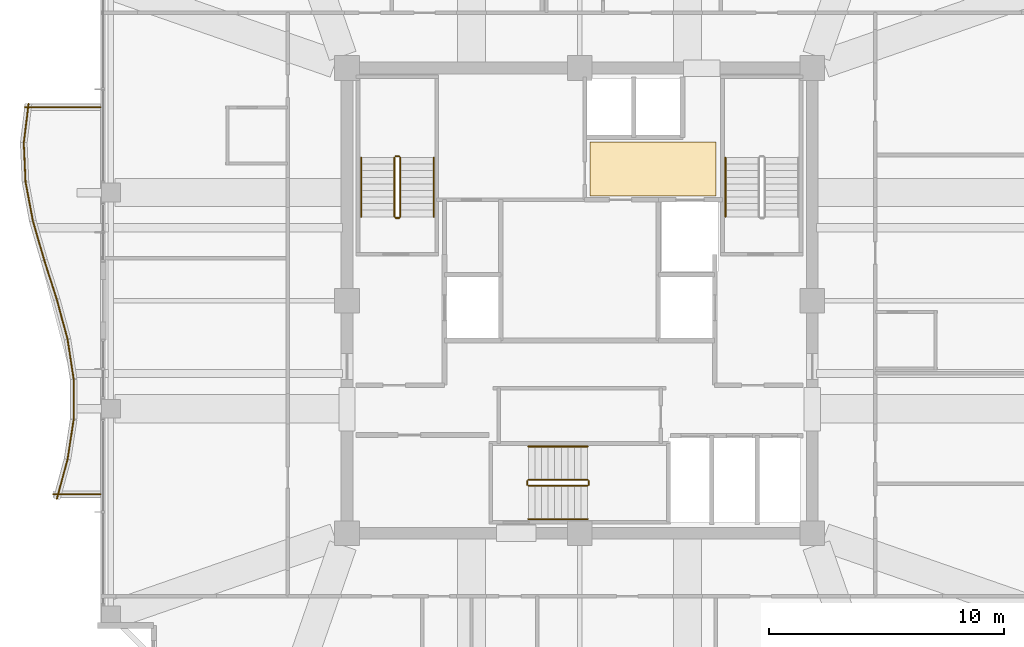
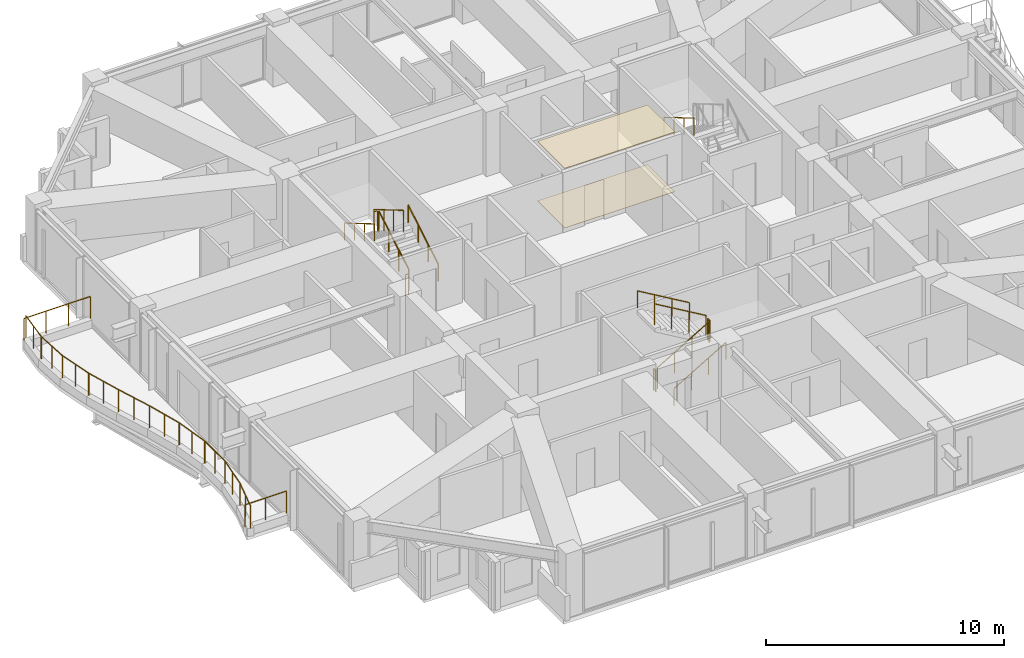
# One storey, part 34 of 35: 25 railings, 2 coverings.
"""IFC4 building model written with IfcOpenShell, lengths in metres."""

from ifc_helpers import new_model, si_unit, direction, frame, origin, origin_2d, place, context, subcontext, project, spatial, polyline, circle, outline, extrude, material, layer, layer_set, type_object, element, save


model = new_model("IFC4")

# Units and contexts
model_context = context("Model", 3, precision=1e-05, world=origin(), true_north=direction((0.0, 1.0)))
body_context = subcontext(model_context, "Body", "Model", "MODEL_VIEW")
ifc_project = project(units=[si_unit("LENGTHUNIT", "METRE"), si_unit("AREAUNIT", "SQUARE_METRE"), si_unit("VOLUMEUNIT", "CUBIC_METRE"), si_unit("PLANEANGLEUNIT", "RADIAN"), si_unit("MASSUNIT", "GRAM", prefix="KILO")], contexts=[model_context])

# Site, building, storey
site_placement = place(None, origin())
site = spatial("IfcSite", under=ifc_project, at=site_placement, CompositionType="ELEMENT")
building_placement = place(site_placement, origin())
building = spatial("IfcBuilding", under=site, at=building_placement, Name="Kolvaren Belvedere", CompositionType="ELEMENT")
storey_placement = place(building_placement, frame((0.0, 0.0, 203.10009765625)))
storey = spatial("IfcBuildingStorey", under=building, at=storey_placement, Name="L59", CompositionType="ELEMENT", Elevation=203.10009765625)

# Coverings
ifc_material_1 = material(Name="Acoustic perforated gypsum board", Category="gypsum")
ifc_layer_1 = layer(ifc_material_1, 0.02490234375)
ifc_layer_set_1 = layer_set([ifc_layer_1], Name="Acoustic perforated gypsum board")
covering_type_1 = type_object("IfcCoveringType", Name="COV-CEIL-GYP", PredefinedType="CEILING", material=ifc_layer_set_1)
covering_1_placement = place(storey_placement, frame((0.0, 0.0, 3.054931640625)))
element("IfcCovering", 1, at=covering_1_placement, inside=storey, type_object=covering_type_1, Name="L59 Lift Lobby Acoustic Baffle Ceiling", PredefinedType="CEILING", context=body_context, shape_type="SweptSolid", body=[
    extrude(outline(polyline([(0.449951171875, 4.449951171875), (5.800048828125, 4.449951171875), (5.800048828125, 6.75), (0.449951171875, 6.75), (0.449951171875, 4.449951171875)])), origin(), (0.0, 0.0, 1.0), 0.02490234375),
])
ifc_material_2 = material(Name="Engineered Pacific white oak", Category="timber")
ifc_layer_2 = layer(ifc_material_2, 0.02001953125)
ifc_layer_set_2 = layer_set([ifc_layer_2], Name="Engineered Pacific white oak")
covering_type_2 = type_object("IfcCoveringType", Name="COV-FLR-OAK", PredefinedType="FLOORING", material=ifc_layer_set_2)
covering_2_placement = place(storey_placement, origin())
element("IfcCovering", 2, at=covering_2_placement, inside=storey, type_object=covering_type_2, Name="L59 Lift Lobby Finish Flooring", PredefinedType="FLOORING", context=body_context, shape_type="SweptSolid", body=[
    extrude(outline(polyline([(0.449951171875, 4.449951171875), (5.800048828125, 4.449951171875), (5.800048828125, 6.75), (0.449951171875, 6.75), (0.449951171875, 4.449951171875)])), origin(), (0.0, 0.0, 1.0), 0.02001953125),
])

# Railings
ifc_material_3 = material(Name="Anodised pale-metal aluminium & laminated glass guard", Category="aluminium")
railing_type_1 = type_object("IfcRailingType", Name="RL-GUARD-1150", PredefinedType="GUARDRAIL", material=ifc_material_3)
railing_1_placement = place(storey_placement, frame((-23.454833984375, 8.380615234375, 0.3798828125)))
element("IfcRailing", 3, at=railing_1_placement, inside=storey, type_object=railing_type_1, Name="L59 Exterior Deck Safety Guard BAL-W-1", PredefinedType="GUARDRAIL", context=body_context, shape_type="SweptSolid", body=[
    extrude(circle(Radius=0.02392578125, at=origin_2d()), frame((0.0, 0.0, 1.1259765625), z_axis=(-0.121868867697, -0.992546210051, 0.0), x_axis=(0.992546210051, -0.121868867697, 0.0)), (0.0, 0.0, 1.0), 1.69287109375),
    extrude(circle(Radius=0.02099609375, at=origin_2d()), origin(), (0.0, 0.0, 1.0), 1.101806640625),
    extrude(circle(Radius=0.02099609375, at=origin_2d()), frame((-0.10302734375, -0.840087890625, 0.0)), (0.0, 0.0, 1.0), 1.101806640625),
    extrude(circle(Radius=0.02099609375, at=origin_2d()), frame((-0.206298828125, -1.68017578125, 0.0)), (0.0, 0.0, 1.0), 1.101806640625),
])
railing_2_placement = place(storey_placement, frame((-23.66015625, 6.727294921875, 0.3798828125)))
element("IfcRailing", 4, at=railing_2_placement, inside=storey, type_object=railing_type_1, Name="L59 Exterior Deck Safety Guard BAL-W-2", PredefinedType="GUARDRAIL", context=body_context, shape_type="SweptSolid", body=[
    extrude(circle(Radius=0.02392578125, at=origin_2d()), frame((0.0, 0.0, 1.1259765625), z_axis=(0.044999415011, -0.998987013253, 0.0), x_axis=(0.998987013253, 0.044999415011, 0.0)), (0.0, 0.0, 1.0), 1.681884765625),
    extrude(circle(Radius=0.02099609375, at=origin_2d()), origin(), (0.0, 0.0, 1.0), 1.101806640625),
    extrude(circle(Radius=0.02099609375, at=origin_2d()), frame((0.037841796875, -0.840087890625, 0.0)), (0.0, 0.0, 1.0), 1.101806640625),
    extrude(circle(Radius=0.02099609375, at=origin_2d()), frame((0.07568359375, -1.68017578125, 0.0)), (0.0, 0.0, 1.0), 1.101806640625),
])
railing_3_placement = place(storey_placement, frame((-23.5869140625, 5.069580078125, 0.3798828125)))
element("IfcRailing", 5, at=railing_3_placement, inside=storey, type_object=railing_type_1, Name="L59 Exterior Deck Safety Guard BAL-W-3", PredefinedType="GUARDRAIL", context=body_context, shape_type="SweptSolid", body=[
    extrude(circle(Radius=0.02392578125, at=origin_2d()), frame((0.0, 0.0, 1.1259765625), z_axis=(0.18467658162, -0.982799348901, 0.0), x_axis=(0.982799348901, 0.18467658162, 0.0)), (0.0, 0.0, 1.0), 1.709228515625),
    extrude(circle(Radius=0.02099609375, at=origin_2d()), origin(), (0.0, 0.0, 1.0), 1.101806640625),
    extrude(circle(Radius=0.02099609375, at=origin_2d()), frame((0.15771484375, -0.83984375, 0.0)), (0.0, 0.0, 1.0), 1.101806640625),
    extrude(circle(Radius=0.02099609375, at=origin_2d()), frame((0.315673828125, -1.679931640625, 0.0)), (0.0, 0.0, 1.0), 1.101806640625),
])
railing_4_placement = place(storey_placement, frame((-23.274658203125, 3.404541015625, 0.3798828125)))
element("IfcRailing", 6, at=railing_4_placement, inside=storey, type_object=railing_type_1, Name="L59 Exterior Deck Safety Guard BAL-W-4", PredefinedType="GUARDRAIL", context=body_context, shape_type="SweptSolid", body=[
    extrude(circle(Radius=0.02392578125, at=origin_2d()), frame((0.0, 0.0, 1.1259765625), z_axis=(0.277817391164, -0.960633903819, 0.0), x_axis=(0.960633903819, 0.277817391164, 0.0)), (0.0, 0.0, 1.0), 1.748779296875),
    extrude(circle(Radius=0.02099609375, at=origin_2d()), origin(), (0.0, 0.0, 1.0), 1.101806640625),
    extrude(circle(Radius=0.02099609375, at=origin_2d()), frame((0.242919921875, -0.83984375, 0.0)), (0.0, 0.0, 1.0), 1.101806640625),
    extrude(circle(Radius=0.02099609375, at=origin_2d()), frame((0.48583984375, -1.679931640625, 0.0)), (0.0, 0.0, 1.0), 1.101806640625),
])
railing_5_placement = place(storey_placement, frame((-22.7900390625, 1.728515625, 0.3798828125)))
element("IfcRailing", 7, at=railing_5_placement, inside=storey, type_object=railing_type_1, Name="L59 Exterior Deck Safety Guard BAL-W-5", PredefinedType="GUARDRAIL", context=body_context, shape_type="SweptSolid", body=[
    extrude(circle(Radius=0.02392578125, at=origin_2d()), frame((0.0, 0.0, 1.1259765625), z_axis=(0.304032153573, -0.952661770826, 0.0), x_axis=(0.952661770826, 0.304032153573, 0.0)), (0.0, 0.0, 1.0), 1.763427734375),
    extrude(circle(Radius=0.02099609375, at=origin_2d()), origin(), (0.0, 0.0, 1.0), 1.101806640625),
    extrude(circle(Radius=0.02099609375, at=origin_2d()), frame((0.26806640625, -0.83984375, 0.0)), (0.0, 0.0, 1.0), 1.101806640625),
    extrude(circle(Radius=0.02099609375, at=origin_2d()), frame((0.5361328125, -1.679931640625, 0.0)), (0.0, 0.0, 1.0), 1.101806640625),
])
railing_6_placement = place(storey_placement, frame((-22.251708984375, 0.041748046875, 0.3798828125)))
element("IfcRailing", 8, at=railing_6_placement, inside=storey, type_object=railing_type_1, Name="L59 Exterior Deck Safety Guard BAL-W-6", PredefinedType="GUARDRAIL", context=body_context, shape_type="SweptSolid", body=[
    extrude(circle(Radius=0.02392578125, at=origin_2d()), frame((0.0, 0.0, 1.1259765625), z_axis=(0.260682852326, -0.965424492388, 0.0), x_axis=(0.965424492388, 0.260682852326, 0.0)), (0.0, 0.0, 1.0), 1.739990234375),
    extrude(circle(Radius=0.02099609375, at=origin_2d()), origin(), (0.0, 0.0, 1.0), 1.101806640625),
    extrude(circle(Radius=0.02099609375, at=origin_2d()), frame((0.226806640625, -0.83984375, 0.0)), (0.0, 0.0, 1.0), 1.101806640625),
    extrude(circle(Radius=0.02099609375, at=origin_2d()), frame((0.45361328125, -1.679931640625, 0.0)), (0.0, 0.0, 1.0), 1.101806640625),
])
railing_7_placement = place(storey_placement, frame((-21.794677734375, -1.655517578125, 0.3798828125)))
element("IfcRailing", 9, at=railing_7_placement, inside=storey, type_object=railing_type_1, Name="L59 Exterior Deck Safety Guard BAL-W-7", PredefinedType="GUARDRAIL", context=body_context, shape_type="SweptSolid", body=[
    extrude(circle(Radius=0.02392578125, at=origin_2d()), frame((0.0, 0.0, 1.1259765625), z_axis=(0.152229849666, -0.988345118302, 0.0), x_axis=(0.988345118302, 0.152229849666, 0.0)), (0.0, 0.0, 1.0), 1.699951171875),
    extrude(circle(Radius=0.02099609375, at=origin_2d()), origin(), (0.0, 0.0, 1.0), 1.101806640625),
    extrude(circle(Radius=0.02099609375, at=origin_2d()), frame((0.12939453125, -0.840087890625, 0.0)), (0.0, 0.0, 1.0), 1.101806640625),
    extrude(circle(Radius=0.02099609375, at=origin_2d()), frame((0.2587890625, -1.68017578125, 0.0)), (0.0, 0.0, 1.0), 1.101806640625),
])
railing_8_placement = place(storey_placement, frame((-21.533935546875, -3.360107421875, 0.3798828125)))
element("IfcRailing", 10, at=railing_8_placement, inside=storey, type_object=railing_type_1, Name="L59 Exterior Deck Safety Guard BAL-W-8", PredefinedType="GUARDRAIL", context=body_context, shape_type="SweptSolid", body=[
    extrude(circle(Radius=0.02392578125, at=origin_2d()), frame((0.0, 0.0, 1.1259765625), z_axis=(0.0, -1.0, 0.0), x_axis=(1.0, 0.0, 0.0)), (0.0, 0.0, 1.0), 1.679931640625),
    extrude(circle(Radius=0.02099609375, at=origin_2d()), origin(), (0.0, 0.0, 1.0), 1.101806640625),
    extrude(circle(Radius=0.02099609375, at=origin_2d()), frame((0.0, -0.83984375, 0.0)), (0.0, 0.0, 1.0), 1.101806640625),
    extrude(circle(Radius=0.02099609375, at=origin_2d()), frame((0.0, -1.679931640625, 0.0)), (0.0, 0.0, 1.0), 1.101806640625),
])
railing_9_placement = place(storey_placement, frame((-21.535888671875, -5.064453125, 0.3798828125)))
element("IfcRailing", 11, at=railing_9_placement, inside=storey, type_object=railing_type_1, Name="L59 Exterior Deck Safety Guard BAL-W-9", PredefinedType="GUARDRAIL", context=body_context, shape_type="SweptSolid", body=[
    extrude(circle(Radius=0.02392578125, at=origin_2d()), frame((0.0, 0.0, 1.1259765625), z_axis=(-0.152251460091, -0.988341789514, 0.0), x_axis=(0.988341789514, -0.152251460091, 0.0)), (0.0, 0.0, 1.0), 1.69970703125),
    extrude(circle(Radius=0.02099609375, at=origin_2d()), origin(), (0.0, 0.0, 1.0), 1.101806640625),
    extrude(circle(Radius=0.02099609375, at=origin_2d()), frame((-0.12939453125, -0.83984375, 0.0)), (0.0, 0.0, 1.0), 1.101806640625),
    extrude(circle(Radius=0.02099609375, at=origin_2d()), frame((-0.2587890625, -1.679931640625, 0.0)), (0.0, 0.0, 1.0), 1.101806640625),
])
railing_10_placement = place(storey_placement, frame((-21.798095703125, -6.76171875, 0.3798828125)))
element("IfcRailing", 12, at=railing_10_placement, inside=storey, type_object=railing_type_1, Name="L59 Exterior Deck Safety Guard BAL-W-10", PredefinedType="GUARDRAIL", context=body_context, shape_type="SweptSolid", body=[
    extrude(circle(Radius=0.02392578125, at=origin_2d()), frame((0.0, 0.0, 1.1259765625), z_axis=(-0.260682852326, -0.965424492388, 0.0), x_axis=(0.965424492388, -0.260682852326, 0.0)), (0.0, 0.0, 1.0), 1.739990234375),
    extrude(circle(Radius=0.02099609375, at=origin_2d()), origin(), (0.0, 0.0, 1.0), 1.101806640625),
    extrude(circle(Radius=0.02099609375, at=origin_2d()), frame((-0.226806640625, -0.83984375, 0.0)), (0.0, 0.0, 1.0), 1.101806640625),
    extrude(circle(Radius=0.02099609375, at=origin_2d()), frame((-0.45361328125, -1.679931640625, 0.0)), (0.0, 0.0, 1.0), 1.101806640625),
])
railing_11_placement = place(storey_placement, frame((-22.40625, -8.239990234375, 0.3798828125)))
element("IfcRailing", 13, at=railing_11_placement, inside=storey, type_object=railing_type_1, Name="L59 Exterior Deck Safety Guard BAL-W-11", PredefinedType="GUARDRAIL", context=body_context, shape_type="SweptSolid", body=[
    extrude(circle(Radius=0.02392578125, at=origin_2d()), frame((0.0, 0.0, 1.1259765625), z_axis=(1.0, 0.0, 0.0), x_axis=(0.0, 1.0, 0.0)), (0.0, 0.0, 1.0), 2.00634765625),
    extrude(circle(Radius=0.02099609375, at=origin_2d()), origin(), (0.0, 0.0, 1.0), 1.101806640625),
    extrude(circle(Radius=0.02099609375, at=origin_2d()), frame((1.003173828125, 0.0, 0.0)), (0.0, 0.0, 1.0), 1.101806640625),
    extrude(circle(Radius=0.02099609375, at=origin_2d()), frame((2.00634765625, 0.0, 0.0)), (0.0, 0.0, 1.0), 1.101806640625),
])
railing_12_placement = place(storey_placement, frame((-20.39990234375, 8.239990234375, 0.3798828125)))
element("IfcRailing", 14, at=railing_12_placement, inside=storey, type_object=railing_type_1, Name="L59 Exterior Deck Safety Guard BAL-W-22", PredefinedType="GUARDRAIL", context=body_context, shape_type="SweptSolid", body=[
    extrude(circle(Radius=0.02392578125, at=origin_2d()), frame((0.0, 0.0, 1.1259765625), z_axis=(-1.0, 0.0, 0.0), x_axis=(0.0, -1.0, 0.0)), (0.0, 0.0, 1.0), 3.2138671875),
    extrude(circle(Radius=0.02099609375, at=origin_2d()), origin(), (0.0, 0.0, 1.0), 1.101806640625),
    extrude(circle(Radius=0.02099609375, at=origin_2d()), frame((-1.0712890625, 0.0, 0.0)), (0.0, 0.0, 1.0), 1.101806640625),
    extrude(circle(Radius=0.02099609375, at=origin_2d()), frame((-2.142578125, 0.0, 0.0)), (0.0, 0.0, 1.0), 1.101806640625),
    extrude(circle(Radius=0.02099609375, at=origin_2d()), frame((-3.2138671875, 0.0, 0.0)), (0.0, 0.0, 1.0), 1.101806640625),
])
ifc_material_4 = material(Name="Brushed stainless-steel handrail", Category="steel")
railing_type_2 = type_object("IfcRailingType", Name="RL-HANDRAIL-920", PredefinedType="HANDRAIL", material=ifc_material_4)
railing_13_placement = place(storey_placement, frame((-6.2099609375, 3.570068359375, 0.164794921875)))
element("IfcRailing", 15, at=railing_13_placement, inside=storey, type_object=railing_type_2, Name="L59 ST-1 stair handrail 1", PredefinedType="HANDRAIL", context=body_context, shape_type="SweptSolid", body=[
    extrude(circle(Radius=0.02392578125, at=origin_2d()), frame((0.0, 0.0, 0.8759765625), z_axis=(0.0, 0.86152411907, 0.507716645641), x_axis=(-1.0, 0.0, 0.0)), (0.0, 0.0, 1.0), 2.925048828125),
    extrude(circle(Radius=0.02099609375, at=origin_2d()), origin(), (0.0, 0.0, 1.0), 0.851806640625),
    extrude(circle(Radius=0.02099609375, at=origin_2d()), frame((0.0, 0.840087890625, 0.4951171875)), (0.0, 0.0, 1.0), 0.851806640625),
    extrude(circle(Radius=0.02099609375, at=origin_2d()), frame((0.0, 1.679931640625, 0.989990234375)), (0.0, 0.0, 1.0), 0.851806640625),
    extrude(circle(Radius=0.02099609375, at=origin_2d()), frame((0.0, 2.52001953125, 1.485107421875)), (0.0, 0.0, 1.0), 0.851806640625),
])
for number, where, name in (
    (16, (-9.300048828125, 6.090087890625, 1.81494140625), "L59 ST-1 stair handrail 2"),
    (17, (6.2099609375, 6.090087890625, 1.81494140625), "L59 ST-2 stair handrail 2"),
):
    element("IfcRailing", number, at=place(storey_placement, frame(where)), inside=storey, type_object=railing_type_2, Name=name, PredefinedType="HANDRAIL", context=body_context, shape_type="SweptSolid", body=[
        extrude(circle(Radius=0.02392578125, at=origin_2d()), frame((0.0, 0.0, 0.8759765625), z_axis=(0.0, -0.861560626758, 0.507654692109), x_axis=(1.0, 0.0, 0.0)), (0.0, 0.0, 1.0), 2.925048828125),
        extrude(circle(Radius=0.02099609375, at=origin_2d()), origin(), (0.0, 0.0, 1.0), 0.851806640625),
        extrude(circle(Radius=0.02099609375, at=origin_2d()), frame((0.0, -0.840087890625, 0.494873046875)), (0.0, 0.0, 1.0), 0.851806640625),
        extrude(circle(Radius=0.02099609375, at=origin_2d()), frame((0.0, -1.679931640625, 0.989990234375)), (0.0, 0.0, 1.0), 0.851806640625),
        extrude(circle(Radius=0.02099609375, at=origin_2d()), frame((0.0, -2.52001953125, 1.48486328125)), (0.0, 0.0, 1.0), 0.851806640625),
    ])
railing_14_placement = place(storey_placement, frame((-2.179931640625, -9.300048828125, 0.164794921875)))
element("IfcRailing", 18, at=railing_14_placement, inside=storey, type_object=railing_type_2, Name="L59 ST-3 stair handrail 1", PredefinedType="HANDRAIL", context=body_context, shape_type="SweptSolid", body=[
    extrude(circle(Radius=0.02392578125, at=origin_2d()), frame((0.0, 0.0, 0.8759765625), z_axis=(0.86152411907, 0.0, 0.507716645641), x_axis=(0.0, 1.0, 0.0)), (0.0, 0.0, 1.0), 2.925048828125),
    extrude(circle(Radius=0.02099609375, at=origin_2d()), origin(), (0.0, 0.0, 1.0), 0.851806640625),
    extrude(circle(Radius=0.02099609375, at=origin_2d()), frame((0.840087890625, 0.0, 0.4951171875)), (0.0, 0.0, 1.0), 0.851806640625),
    extrude(circle(Radius=0.02099609375, at=origin_2d()), frame((1.679931640625, 0.0, 0.989990234375)), (0.0, 0.0, 1.0), 0.851806640625),
    extrude(circle(Radius=0.02099609375, at=origin_2d()), frame((2.52001953125, 0.0, 1.485107421875)), (0.0, 0.0, 1.0), 0.851806640625),
])
railing_15_placement = place(storey_placement, frame((0.340087890625, -6.2099609375, 1.81494140625)))
element("IfcRailing", 19, at=railing_15_placement, inside=storey, type_object=railing_type_2, Name="L59 ST-3 stair handrail 2", PredefinedType="HANDRAIL", context=body_context, shape_type="SweptSolid", body=[
    extrude(circle(Radius=0.02392578125, at=origin_2d()), frame((0.0, 0.0, 0.8759765625), z_axis=(-0.861560626758, 0.0, 0.507654692109), x_axis=(0.0, -1.0, 0.0)), (0.0, 0.0, 1.0), 2.925048828125),
    extrude(circle(Radius=0.02099609375, at=origin_2d()), origin(), (0.0, 0.0, 1.0), 0.851806640625),
    extrude(circle(Radius=0.02099609375, at=origin_2d()), frame((-0.840087890625, 0.0, 0.494873046875)), (0.0, 0.0, 1.0), 0.851806640625),
    extrude(circle(Radius=0.02099609375, at=origin_2d()), frame((-1.679931640625, 0.0, 0.989990234375)), (0.0, 0.0, 1.0), 0.851806640625),
    extrude(circle(Radius=0.02099609375, at=origin_2d()), frame((-2.52001953125, 0.0, 1.48486328125)), (0.0, 0.0, 1.0), 0.851806640625),
])
ifc_material_5 = material(Name="Painted tubular steel stair guard", Category="steel")
railing_type_3 = type_object("IfcRailingType", Name="RL-STGUARD-1100", PredefinedType="GUARDRAIL", material=ifc_material_5)
railing_16_placement = place(storey_placement, frame((-7.6298828125, 3.570068359375, 0.164794921875)))
element("IfcRailing", 20, at=railing_16_placement, inside=storey, type_object=railing_type_3, Name="L59 ST-1 stair guard 1", PredefinedType="GUARDRAIL", context=body_context, shape_type="SweptSolid", body=[
    extrude(circle(Radius=0.02392578125, at=origin_2d()), frame((0.0, 0.0, 1.076171875), z_axis=(0.0, 0.86152411907, 0.507716645641), x_axis=(-1.0, 0.0, 0.0)), (0.0, 0.0, 1.0), 2.925048828125),
    extrude(circle(Radius=0.02099609375, at=origin_2d()), origin(), (0.0, 0.0, 1.0), 1.052001953125),
    extrude(circle(Radius=0.02099609375, at=origin_2d()), frame((0.0, 0.840087890625, 0.4951171875)), (0.0, 0.0, 1.0), 1.052001953125),
    extrude(circle(Radius=0.02099609375, at=origin_2d()), frame((0.0, 1.679931640625, 0.989990234375)), (0.0, 0.0, 1.0), 1.052001953125),
    extrude(circle(Radius=0.02099609375, at=origin_2d()), frame((0.0, 2.52001953125, 1.485107421875)), (0.0, 0.0, 1.0), 1.052001953125),
])
railing_17_placement = place(storey_placement, frame((-7.679931640625, 6.139892578125, 1.64990234375)))
element("IfcRailing", 21, at=railing_17_placement, inside=storey, type_object=railing_type_3, Name="L59 ST-1 stair guard 2", PredefinedType="GUARDRAIL", context=body_context, shape_type="SweptSolid", body=[
    extrude(circle(Radius=0.02392578125, at=origin_2d()), frame((0.0, 0.0, 1.076171875), z_axis=(-1.0, 0.0, 0.0), x_axis=(0.0, -1.0, 0.0)), (0.0, 0.0, 1.0), 0.150146484375),
    extrude(circle(Radius=0.02099609375, at=origin_2d()), origin(), (0.0, 0.0, 1.0), 1.052001953125),
    extrude(circle(Radius=0.02099609375, at=origin_2d()), frame((-0.150146484375, 0.0, 0.0)), (0.0, 0.0, 1.0), 1.052001953125),
])
railing_18_placement = place(storey_placement, frame((-7.8798828125, 6.090087890625, 1.81494140625)))
element("IfcRailing", 22, at=railing_18_placement, inside=storey, type_object=railing_type_3, Name="L59 ST-1 stair guard 3", PredefinedType="GUARDRAIL", context=body_context, shape_type="SweptSolid", body=[
    extrude(circle(Radius=0.02392578125, at=origin_2d()), frame((0.0, 0.0, 1.076171875), z_axis=(0.0, -0.861560626758, 0.507654692109), x_axis=(1.0, 0.0, 0.0)), (0.0, 0.0, 1.0), 2.925048828125),
    extrude(circle(Radius=0.02099609375, at=origin_2d()), origin(), (0.0, 0.0, 1.0), 1.052001953125),
    extrude(circle(Radius=0.02099609375, at=origin_2d()), frame((0.0, -0.840087890625, 0.494873046875)), (0.0, 0.0, 1.0), 1.052001953125),
    extrude(circle(Radius=0.02099609375, at=origin_2d()), frame((0.0, -1.679931640625, 0.989990234375)), (0.0, 0.0, 1.0), 1.052001953125),
    extrude(circle(Radius=0.02099609375, at=origin_2d()), frame((0.0, -2.52001953125, 1.48486328125)), (0.0, 0.0, 1.0), 1.052001953125),
])
railing_19_placement = place(storey_placement, frame((-7.679931640625, 3.52001953125, 0.0)))
element("IfcRailing", 23, at=railing_19_placement, inside=storey, type_object=railing_type_3, Name="L59 ST-1 stair guard 4", PredefinedType="GUARDRAIL", context=body_context, shape_type="SweptSolid", body=[
    extrude(circle(Radius=0.02392578125, at=origin_2d()), frame((0.0, 0.0, 1.076171875), z_axis=(-1.0, 0.0, 0.0), x_axis=(0.0, -1.0, 0.0)), (0.0, 0.0, 1.0), 0.150146484375),
    extrude(circle(Radius=0.02099609375, at=origin_2d()), origin(), (0.0, 0.0, 1.0), 1.052001953125),
    extrude(circle(Radius=0.02099609375, at=origin_2d()), frame((-0.150146484375, 0.0, 0.0)), (0.0, 0.0, 1.0), 1.052001953125),
])
railing_20_placement = place(storey_placement, frame((-2.179931640625, -7.8798828125, 0.164794921875)))
element("IfcRailing", 24, at=railing_20_placement, inside=storey, type_object=railing_type_3, Name="L59 ST-3 stair guard 1", PredefinedType="GUARDRAIL", context=body_context, shape_type="SweptSolid", body=[
    extrude(circle(Radius=0.02392578125, at=origin_2d()), frame((0.0, 0.0, 1.076171875), z_axis=(0.86152411907, 0.0, 0.507716645641), x_axis=(0.0, 1.0, 0.0)), (0.0, 0.0, 1.0), 2.925048828125),
    extrude(circle(Radius=0.02099609375, at=origin_2d()), origin(), (0.0, 0.0, 1.0), 1.052001953125),
    extrude(circle(Radius=0.02099609375, at=origin_2d()), frame((0.840087890625, 0.0, 0.4951171875)), (0.0, 0.0, 1.0), 1.052001953125),
    extrude(circle(Radius=0.02099609375, at=origin_2d()), frame((1.679931640625, 0.0, 0.989990234375)), (0.0, 0.0, 1.0), 1.052001953125),
    extrude(circle(Radius=0.02099609375, at=origin_2d()), frame((2.52001953125, 0.0, 1.485107421875)), (0.0, 0.0, 1.0), 1.052001953125),
])
railing_21_placement = place(storey_placement, frame((0.389892578125, -7.830078125, 1.64990234375)))
element("IfcRailing", 25, at=railing_21_placement, inside=storey, type_object=railing_type_3, Name="L59 ST-3 stair guard 2", PredefinedType="GUARDRAIL", context=body_context, shape_type="SweptSolid", body=[
    extrude(circle(Radius=0.02392578125, at=origin_2d()), frame((0.0, 0.0, 1.076171875), z_axis=(0.0, 1.0, 0.0), x_axis=(-1.0, 0.0, 0.0)), (0.0, 0.0, 1.0), 0.150146484375),
    extrude(circle(Radius=0.02099609375, at=origin_2d()), origin(), (0.0, 0.0, 1.0), 1.052001953125),
    extrude(circle(Radius=0.02099609375, at=origin_2d()), frame((0.0, 0.150146484375, 0.0)), (0.0, 0.0, 1.0), 1.052001953125),
])
railing_22_placement = place(storey_placement, frame((0.340087890625, -7.6298828125, 1.81494140625)))
element("IfcRailing", 26, at=railing_22_placement, inside=storey, type_object=railing_type_3, Name="L59 ST-3 stair guard 3", PredefinedType="GUARDRAIL", context=body_context, shape_type="SweptSolid", body=[
    extrude(circle(Radius=0.02392578125, at=origin_2d()), frame((0.0, 0.0, 1.076171875), z_axis=(-0.861560626758, 0.0, 0.507654692109), x_axis=(0.0, -1.0, 0.0)), (0.0, 0.0, 1.0), 2.925048828125),
    extrude(circle(Radius=0.02099609375, at=origin_2d()), origin(), (0.0, 0.0, 1.0), 1.052001953125),
    extrude(circle(Radius=0.02099609375, at=origin_2d()), frame((-0.840087890625, 0.0, 0.494873046875)), (0.0, 0.0, 1.0), 1.052001953125),
    extrude(circle(Radius=0.02099609375, at=origin_2d()), frame((-1.679931640625, 0.0, 0.989990234375)), (0.0, 0.0, 1.0), 1.052001953125),
    extrude(circle(Radius=0.02099609375, at=origin_2d()), frame((-2.52001953125, 0.0, 1.48486328125)), (0.0, 0.0, 1.0), 1.052001953125),
])
railing_23_placement = place(storey_placement, frame((-2.22998046875, -7.830078125, 0.0)))
element("IfcRailing", 27, at=railing_23_placement, inside=storey, type_object=railing_type_3, Name="L59 ST-3 stair guard 4", PredefinedType="GUARDRAIL", context=body_context, shape_type="SweptSolid", body=[
    extrude(circle(Radius=0.02392578125, at=origin_2d()), frame((0.0, 0.0, 1.076171875), z_axis=(0.0, 1.0, 0.0), x_axis=(-1.0, 0.0, 0.0)), (0.0, 0.0, 1.0), 0.150146484375),
    extrude(circle(Radius=0.02099609375, at=origin_2d()), origin(), (0.0, 0.0, 1.0), 1.052001953125),
    extrude(circle(Radius=0.02099609375, at=origin_2d()), frame((0.0, 0.150146484375, 0.0)), (0.0, 0.0, 1.0), 1.052001953125),
])

save(model, "model.ifc")
